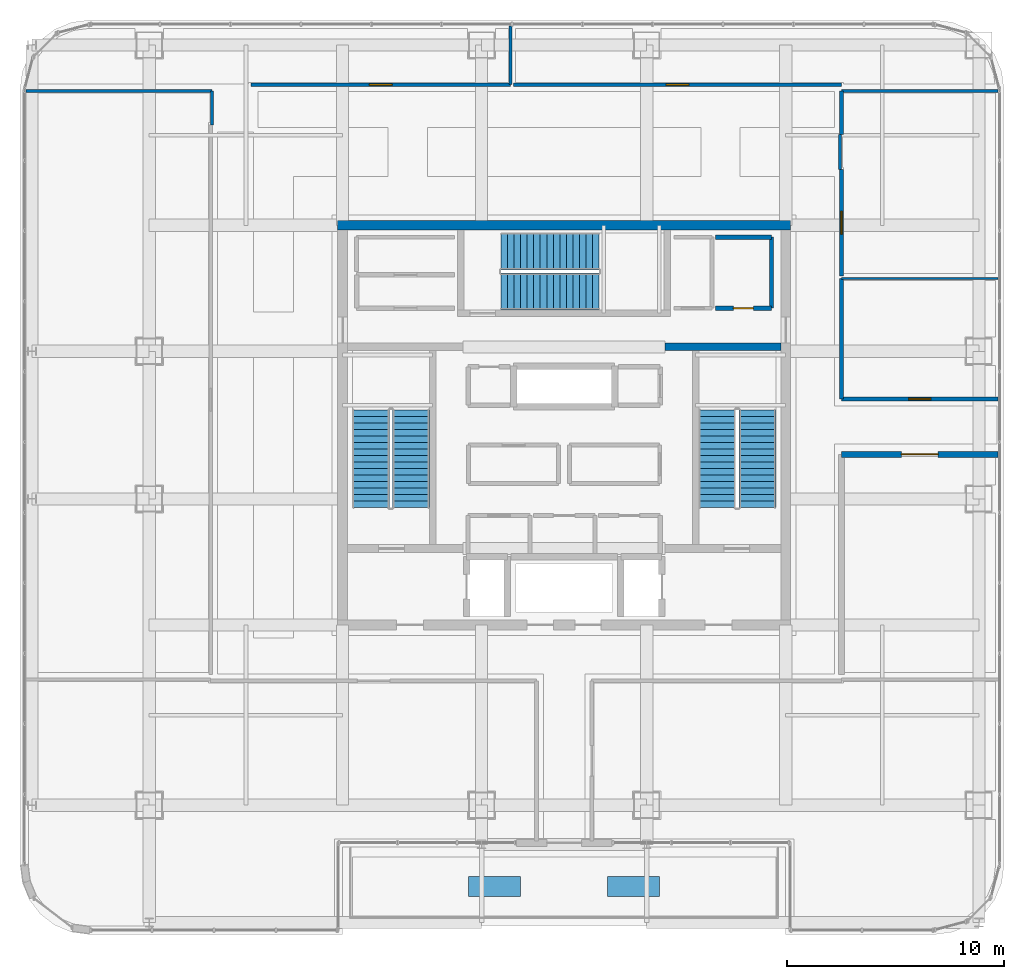
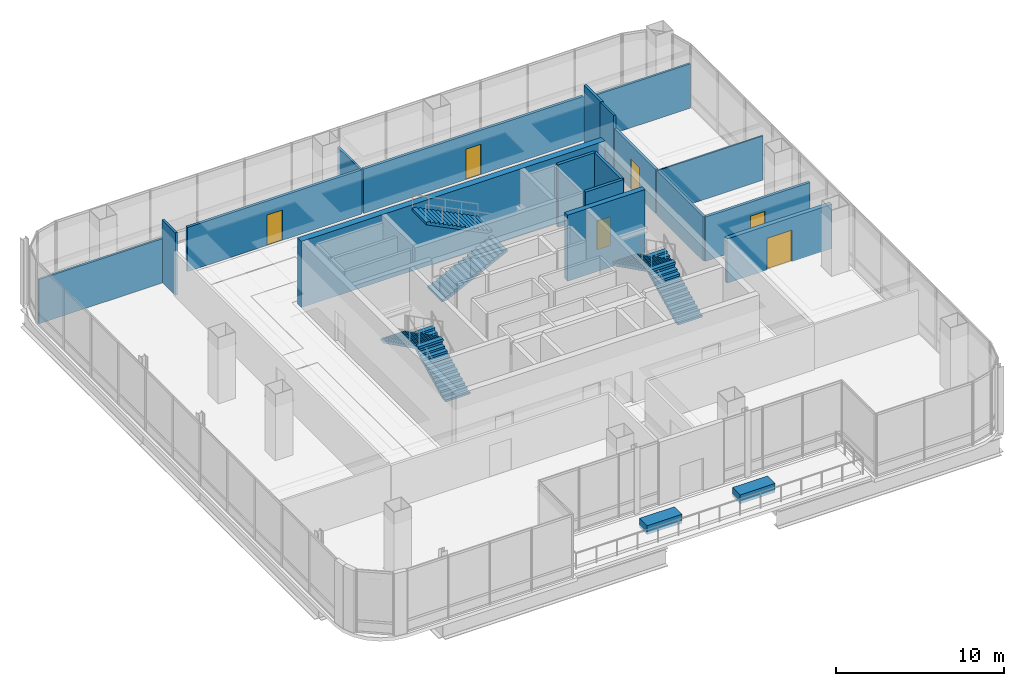
# One storey, part 38 of 44: 18 walls, 6 doors, 6 stair flights, 2 discrete accessories, 6 openings, 3 elements without a shape of their own.
"""IFC4 building model written with IfcOpenShell, lengths in metres."""

from ifc_helpers import new_model, si_unit, direction, frame, frame_2d, origin, origin_2d, place, context, subcontext, project, spatial, polyline, rectangle, outline, extrude, material, layer, layer_set, type_object, element, fill, aggregate, save


model = new_model("IFC4")

# Units and contexts
model_context = context("Model", 3, precision=1e-05, world=origin(), true_north=direction((0.0, 1.0)))
body_context = subcontext(model_context, "Body", "Model", "MODEL_VIEW")
ifc_project = project(units=[si_unit("LENGTHUNIT", "METRE"), si_unit("AREAUNIT", "SQUARE_METRE"), si_unit("VOLUMEUNIT", "CUBIC_METRE"), si_unit("PLANEANGLEUNIT", "RADIAN"), si_unit("MASSUNIT", "GRAM", prefix="KILO")], contexts=[model_context])

# Site, building, storey
site_placement = place(None, origin())
site = spatial("IfcSite", under=ifc_project, at=site_placement, CompositionType="ELEMENT")
building_placement = place(site_placement, origin())
building = spatial("IfcBuilding", under=site, at=building_placement, Name="Punatoya Terracotta Tower", CompositionType="ELEMENT")
storey_placement = place(building_placement, frame((0.0, 0.0, 334.199951171875)))
storey = spatial("IfcBuildingStorey", under=building, at=storey_placement, Name="L79", CompositionType="ELEMENT", Elevation=334.199951171875)

# Wall, opening, door
ifc_material_1 = material(Name="Concrete C40/50", Category="concrete")
ifc_layer_1 = layer(ifc_material_1, 0.280029296875)
ifc_layer_set_1 = layer_set([ifc_layer_1], Name="Concrete C40/50")
wall_type_1 = type_object("IfcWallType", Name="WL-AUD-280", PredefinedType="SOLIDWALL", material=ifc_layer_set_1)
wall_1_placement = place(storey_placement, frame((12.77001953125, -1.35009765625, 0.0), z_axis=(0.0, 0.0, 1.0), x_axis=(1.0, 0.0, 0.0)))
wall_1 = element("IfcWall", 1, at=wall_1_placement, inside=storey, type_object=wall_type_1, Name="L79 Open-Plan Visitors' Sky Cafe and Bistro Partition 39", PredefinedType="SOLIDWALL", context=body_context, shape_type="SweptSolid", body=[
    extrude(rectangle(XDim=7.199951171875, YDim=0.280029296875, at=frame_2d((3.60009765625, 0.0))), origin(), (0.0, 0.0, 1.0), 3.214111328125),
])
opening_1_placement = place(wall_1_placement, frame((2.75, 0.0, 0.0)))
opening_1 = element("IfcOpeningElement", 2, at=opening_1_placement, cuts=wall_1, Name="Opening FD-D1", PredefinedType="OPENING", context=body_context, shape_type="SweptSolid", body=[
    extrude(rectangle(XDim=1.699951171875, YDim=2.300048828125, at=frame_2d((0.85009765625, 1.14990234375))), frame((0.0, 0.14990234375, 0.0), z_axis=(0.0, -1.0, 0.0), x_axis=(1.0, 0.0, 0.0)), (0.0, 0.0, 1.0), 0.300048828125),
])
ifc_material_2 = material(Name="Timber Teak Veneer Fire Leaf", Category="wood")
door_type_1 = type_object("IfcDoorType", Name="DR-DIN-1700", OperationType="NOTDEFINED", PredefinedType="DOOR", material=ifc_material_2)
door_1_placement = place(opening_1_placement, origin())
door_1 = element("IfcDoor", 3, at=door_1_placement, inside=storey, type_object=door_type_1, Name="L79 Open-Plan Visitors' Sky Cafe and Bistro Fire Door", OperationType="DOUBLE_DOOR_SINGLE_SWING", OverallHeight=2.300048828125, OverallWidth=1.699951171875, PredefinedType="DOOR", context=body_context, shape_type="SweptSolid", body=[
    extrude(rectangle(XDim=1.699951171875, YDim=2.300048828125, at=frame_2d((0.85009765625, 1.14990234375))), frame((0.0, 0.02490234375, 0.0), z_axis=(0.0, -1.0, 0.0), x_axis=(1.0, 0.0, 0.0)), (0.0, 0.0, 1.0), 0.050048828125),
])
fill(opening_1, door_1)

# Wall
ifc_material_3 = material(Name="Concrete C50/60", Category="concrete")
ifc_layer_2 = layer(ifc_material_3, 0.449951171875)
ifc_layer_set_2 = layer_set([ifc_layer_2], Name="Concrete C50/60")
wall_type_2 = type_object("IfcWallType", Name="WL-COR-450", PredefinedType="SHEAR", material=ifc_layer_set_2)
wall_2_placement = place(storey_placement, frame((-10.425048828125, 9.199951171875, 0.0), z_axis=(0.0, 0.0, 1.0), x_axis=(1.0, 0.0, 0.0)))
element("IfcWall", 4, at=wall_2_placement, inside=storey, type_object=wall_type_2, Name="L79 Core Shear Wall N", PredefinedType="SHEAR", context=body_context, shape_type="SweptSolid", body=[
    extrude(rectangle(XDim=20.85009765625, YDim=0.449951171875, at=frame_2d((10.425048828125, 0.0))), origin(), (0.0, 0.0, 1.0), 4.800048828125),
])

# Wall, opening, door
ifc_material_4 = material(Name="Gypsum Fireboard + Steel Stud", Category="steel")
ifc_layer_3 = layer(ifc_material_4, 0.179931640625)
ifc_layer_set_3 = layer_set([ifc_layer_3], Name="Gypsum Fireboard + Steel Stud")
wall_type_3 = type_object("IfcWallType", Name="WL-CORR-180", PredefinedType="PARTITIONING", material=ifc_layer_set_3)
wall_3_placement = place(storey_placement, frame((19.969970703125, 1.199951171875, 0.0), z_axis=(0.0, 0.0, 1.0), x_axis=(-1.0, 0.0, 0.0)))
wall_3 = element("IfcWall", 5, at=wall_3_placement, inside=storey, type_object=wall_type_3, Name="L79 Open-Plan Public Lookout Seminar Room Partition 44", PredefinedType="PARTITIONING", context=body_context, shape_type="SweptSolid", body=[
    extrude(rectangle(XDim=7.199951171875, YDim=0.179931640625, at=frame_2d((3.60009765625, 0.0))), origin(), (0.0, 0.0, 1.0), 3.214111328125),
])
opening_2_placement = place(wall_3_placement, frame((3.090087890625, 0.0, 0.0)))
opening_2 = element("IfcOpeningElement", 6, at=opening_2_placement, cuts=wall_3, Name="Opening MD-01", PredefinedType="OPENING", context=body_context, shape_type="SweptSolid", body=[
    extrude(rectangle(XDim=1.02001953125, YDim=2.199951171875, at=frame_2d((0.510009765625, 1.10009765625))), frame((0.0, 0.099853515625, 0.0), z_axis=(0.0, -1.0, 0.0), x_axis=(1.0, 0.0, 0.0)), (0.0, 0.0, 1.0), 0.199951171875),
])
ifc_material_5 = material(Name="Aluminium + Acoustic Glass Leaf", Category="aluminium")
door_type_2 = type_object("IfcDoorType", Name="DR-MTG-1020", OperationType="NOTDEFINED", PredefinedType="DOOR", material=ifc_material_5)
door_2_placement = place(opening_2_placement, origin())
door_2 = element("IfcDoor", 7, at=door_2_placement, inside=storey, type_object=door_type_2, Name="L79 Open-Plan Public Lookout Seminar Room Door", OperationType="SINGLE_SWING_RIGHT", OverallHeight=2.199951171875, OverallWidth=1.02001953125, PredefinedType="DOOR", context=body_context, shape_type="SweptSolid", body=[
    extrude(rectangle(XDim=1.02001953125, YDim=2.199951171875, at=frame_2d((0.510009765625, 1.10009765625))), frame((0.0, 0.02490234375, 0.0), z_axis=(0.0, -1.0, 0.0), x_axis=(1.0, 0.0, 0.0)), (0.0, 0.0, 1.0), 0.050048828125),
])
fill(opening_2, door_2)

# Wall
wall_4_placement = place(storey_placement, frame((12.77001953125, 1.199951171875, 0.0), z_axis=(0.0, 0.0, 1.0), x_axis=(0.0, 1.0, 0.0)))
element("IfcWall", 8, at=wall_4_placement, inside=storey, type_object=wall_type_3, Name="L79 Open-Plan Public Lookout Seminar Room Partition 45", PredefinedType="PARTITIONING", context=body_context, shape_type="SweptSolid", body=[
    extrude(rectangle(XDim=5.550048828125, YDim=0.179931640625, at=frame_2d((2.77490234375, 0.0))), origin(), (0.0, 0.0, 1.0), 3.214111328125),
])

# Wall, opening, door
wall_5_placement = place(storey_placement, frame((12.77001953125, 6.8701171875, 0.0), z_axis=(0.0, 0.0, 1.0), x_axis=(0.0, 1.0, 0.0)))
wall_5 = element("IfcWall", 9, at=wall_5_placement, inside=storey, type_object=wall_type_3, Name="L79 Digital Cartography Studio Partition 47", PredefinedType="PARTITIONING", context=body_context, shape_type="SweptSolid", body=[
    extrude(rectangle(XDim=4.89990234375, YDim=0.179931640625, at=frame_2d((2.449951171875, 0.0))), origin(), (0.0, 0.0, 1.0), 3.214111328125),
])
opening_3_placement = place(wall_5_placement, frame((1.925048828125, 0.0, 0.0)))
opening_3 = element("IfcOpeningElement", 10, at=opening_3_placement, cuts=wall_5, Name="Opening OD-01", PredefinedType="OPENING", context=body_context, shape_type="SweptSolid", body=[
    extrude(rectangle(XDim=1.050048828125, YDim=2.199951171875, at=frame_2d((0.52490234375, 1.10009765625))), frame((0.0, 0.099853515625, 0.0), z_axis=(0.0, -1.0, 0.0), x_axis=(1.0, 0.0, 0.0)), (0.0, 0.0, 1.0), 0.199951171875),
])
ifc_material_6 = material(Name="Bengal Teak Solid-Core Leaf")
door_type_3 = type_object("IfcDoorType", Name="DR-OFF-1050", OperationType="NOTDEFINED", PredefinedType="DOOR", material=ifc_material_6)
door_3_placement = place(opening_3_placement, origin())
door_3 = element("IfcDoor", 11, at=door_3_placement, inside=storey, type_object=door_type_3, Name="L79 Digital Cartography Studio Door", OperationType="SINGLE_SWING_LEFT", OverallHeight=2.199951171875, OverallWidth=1.050048828125, PredefinedType="DOOR", context=body_context, shape_type="SweptSolid", body=[
    extrude(rectangle(XDim=1.050048828125, YDim=2.199951171875, at=frame_2d((0.52490234375, 1.10009765625))), frame((0.0, 0.02490234375, 0.0), z_axis=(0.0, -1.0, 0.0), x_axis=(1.0, 0.0, 0.0)), (0.0, 0.0, 1.0), 0.050048828125),
])
fill(opening_3, door_3)

# Wall
wall_6_placement = place(storey_placement, frame((12.77001953125, 13.3798828125, 0.0), z_axis=(0.0, 0.0, 1.0), x_axis=(0.0, 1.0, 0.0)))
element("IfcWall", 12, at=wall_6_placement, inside=storey, type_object=wall_type_3, Name="L79 Digital Cartography Studio Partition 49", PredefinedType="PARTITIONING", context=body_context, shape_type="SweptSolid", body=[
    extrude(rectangle(XDim=2.010009765625, YDim=0.179931640625, at=frame_2d((1.0048828125, 0.0))), origin(), (0.0, 0.0, 1.0), 4.174072265625),
])

# Wall, opening, door
wall_7_placement = place(storey_placement, frame((-2.4599609375, 15.669921875, 0.0), z_axis=(0.0, 0.0, 1.0), x_axis=(-1.0, 0.0, 0.0)))
wall_7 = element("IfcWall", 13, at=wall_7_placement, inside=storey, type_object=wall_type_3, Name="L79 Open-Plan Visitors' Wellness Lounge Partition 52", PredefinedType="PARTITIONING", context=body_context, shape_type="SweptSolid", body=[
    extrude(rectangle(XDim=11.9599609375, YDim=0.179931640625, at=frame_2d((5.97998046875, 0.0))), origin(), (0.0, 0.0, 1.0), 3.214111328125),
])
opening_4_placement = place(wall_7_placement, frame((5.455078125, 0.0, 0.0)))
opening_4 = element("IfcOpeningElement", 14, at=opening_4_placement, cuts=wall_7, Name="Opening OD-01", PredefinedType="OPENING", context=body_context, shape_type="SweptSolid", body=[
    extrude(rectangle(XDim=1.050048828125, YDim=2.199951171875, at=frame_2d((0.52490234375, 1.10009765625))), frame((0.0, 0.099853515625, 0.0), z_axis=(0.0, -1.0, 0.0), x_axis=(1.0, 0.0, 0.0)), (0.0, 0.0, 1.0), 0.199951171875),
])
door_4_placement = place(opening_4_placement, origin())
door_4 = element("IfcDoor", 15, at=door_4_placement, inside=storey, type_object=door_type_3, Name="L79 Open-Plan Visitors' Wellness Lounge Door", OperationType="SINGLE_SWING_RIGHT", OverallHeight=2.199951171875, OverallWidth=1.050048828125, PredefinedType="DOOR", context=body_context, shape_type="SweptSolid", body=[
    extrude(rectangle(XDim=1.050048828125, YDim=2.199951171875, at=frame_2d((0.52490234375, 1.10009765625))), frame((0.0, 0.02490234375, 0.0), z_axis=(0.0, -1.0, 0.0), x_axis=(1.0, 0.0, 0.0)), (0.0, 0.0, 1.0), 0.050048828125),
])
fill(opening_4, door_4)

wall_8_placement = place(storey_placement, frame((12.77001953125, 15.669921875, 0.0), z_axis=(0.0, 0.0, 1.0), x_axis=(-1.0, 0.0, 0.0)))
wall_8 = element("IfcWall", 16, at=wall_8_placement, inside=storey, type_object=wall_type_3, Name="L79 Open-Plan Horizon Tea Pantry Partition 53", PredefinedType="PARTITIONING", context=body_context, shape_type="SweptSolid", body=[
    extrude(rectangle(XDim=15.110107421875, YDim=0.179931640625, at=frame_2d((7.55517578125, 0.0))), origin(), (0.0, 0.0, 1.0), 3.214111328125),
])
opening_5_placement = place(wall_8_placement, frame((7.030029296875, 0.0, 0.0)))
opening_5 = element("IfcOpeningElement", 17, at=opening_5_placement, cuts=wall_8, Name="Opening OD-01", PredefinedType="OPENING", context=body_context, shape_type="SweptSolid", body=[
    extrude(rectangle(XDim=1.050048828125, YDim=2.199951171875, at=frame_2d((0.52490234375, 1.10009765625))), frame((0.0, 0.099853515625, 0.0), z_axis=(0.0, -1.0, 0.0), x_axis=(1.0, 0.0, 0.0)), (0.0, 0.0, 1.0), 0.199951171875),
])
door_5_placement = place(opening_5_placement, origin())
door_5 = element("IfcDoor", 18, at=door_5_placement, inside=storey, type_object=door_type_3, Name="L79 Open-Plan Horizon Tea Pantry Door", OperationType="SINGLE_SWING_LEFT", OverallHeight=2.199951171875, OverallWidth=1.050048828125, PredefinedType="DOOR", context=body_context, shape_type="SweptSolid", body=[
    extrude(rectangle(XDim=1.050048828125, YDim=2.199951171875, at=frame_2d((0.52490234375, 1.10009765625))), frame((0.0, 0.02490234375, 0.0), z_axis=(0.0, -1.0, 0.0), x_axis=(1.0, 0.0, 0.0)), (0.0, 0.0, 1.0), 0.050048828125),
])
fill(opening_5, door_5)

# Walls
ifc_material_7 = material(Name="Aluminium Framed Acoustic Glass Partition", Category="aluminium")
ifc_layer_4 = layer(ifc_material_7, 0.10009765625)
ifc_layer_set_4 = layer_set([ifc_layer_4], Name="Aluminium Framed Acoustic Glass Partition")
wall_type_4 = type_object("IfcWallType", Name="WL-GLZ-100", PredefinedType="PARTITIONING", material=ifc_layer_set_4)
wall_9_placement = place(storey_placement, frame((12.77001953125, 6.75, 0.0), z_axis=(0.0, 0.0, 1.0), x_axis=(1.0, 0.0, 0.0)))
element("IfcWall", 19, at=wall_9_placement, inside=storey, type_object=wall_type_4, Name="L79 Open-Plan Public Lookout Seminar Room Partition 46", PredefinedType="PARTITIONING", context=body_context, shape_type="SweptSolid", body=[
    extrude(rectangle(XDim=7.199951171875, YDim=0.10009765625, at=frame_2d((3.60009765625, 0.0))), origin(), (0.0, 0.0, 1.0), 3.214111328125),
])
ifc_layer_5 = layer(ifc_material_1, 0.199951171875)
ifc_layer_set_5 = layer_set([ifc_layer_5], Name="Concrete C40/50")
wall_type_5 = type_object("IfcWallType", Name="WL-INT-200", PredefinedType="SOLIDWALL", material=ifc_layer_set_5)
wall_10_placement = place(storey_placement, frame((9.550048828125, 5.3798828125, 0.0), z_axis=(0.0, 0.0, 1.0), x_axis=(0.0, 1.0, 0.0)))
element("IfcWall", 20, at=wall_10_placement, inside=storey, type_object=wall_type_5, Name="L79 East Core Archive Partition 30", PredefinedType="SOLIDWALL", context=body_context, shape_type="SweptSolid", body=[
    extrude(rectangle(XDim=3.27001953125, YDim=0.199951171875, at=frame_2d((1.635009765625, 0.0))), origin(), (0.0, 0.0, 1.0), 4.5400390625),
])
wall_11_placement = place(storey_placement, frame((9.550048828125, 8.64990234375, 0.0), z_axis=(0.0, 0.0, 1.0), x_axis=(-1.0, 0.0, 0.0)))
element("IfcWall", 21, at=wall_11_placement, inside=storey, type_object=wall_type_5, Name="L79 East Core Archive Partition 31", PredefinedType="SOLIDWALL", context=body_context, shape_type="SweptSolid", body=[
    extrude(rectangle(XDim=2.590087890625, YDim=0.199951171875, at=frame_2d((1.294921875, 0.0))), origin(), (0.0, 0.0, 1.0), 4.5400390625),
])

# Wall, opening, door
wall_12_placement = place(storey_placement, frame((6.9599609375, 5.3798828125, 0.0), z_axis=(0.0, 0.0, 1.0), x_axis=(1.0, 0.0, 0.0)))
wall_12 = element("IfcWall", 22, at=wall_12_placement, inside=storey, type_object=wall_type_5, Name="L79 East Core Archive Partition 32", PredefinedType="SOLIDWALL", context=body_context, shape_type="SweptSolid", body=[
    extrude(rectangle(XDim=2.590087890625, YDim=0.199951171875, at=frame_2d((1.294921875, 0.0))), origin(), (0.0, 0.0, 1.0), 4.5400390625),
])
opening_6_placement = place(wall_12_placement, frame((0.8349609375, 0.0, 0.0)))
opening_6 = element("IfcOpeningElement", 23, at=opening_6_placement, cuts=wall_12, Name="Opening FD-R1", PredefinedType="OPENING", context=body_context, shape_type="SweptSolid", body=[
    extrude(rectangle(XDim=0.919921875, YDim=2.10009765625, at=frame_2d((0.4599609375, 1.050048828125))), frame((0.0, 0.10986328125, 0.0), z_axis=(0.0, -1.0, 0.0), x_axis=(1.0, 0.0, 0.0)), (0.0, 0.0, 1.0), 0.219970703125),
])
ifc_material_8 = material(Name="Galvanised Steel Riser Fire Access Door", Category="steel")
door_type_4 = type_object("IfcDoorType", Name="DR-RSR-920", OperationType="NOTDEFINED", PredefinedType="DOOR", material=ifc_material_8)
door_6_placement = place(opening_6_placement, origin())
door_6 = element("IfcDoor", 24, at=door_6_placement, inside=storey, type_object=door_type_4, Name="L79 East Core Archive Fire Door", OperationType="SINGLE_SWING_LEFT", OverallHeight=2.10009765625, OverallWidth=0.919921875, PredefinedType="DOOR", context=body_context, shape_type="SweptSolid", body=[
    extrude(rectangle(XDim=0.919921875, YDim=2.10009765625, at=frame_2d((0.4599609375, 1.050048828125))), frame((0.0, 0.02490234375, 0.0), z_axis=(0.0, -1.0, 0.0), x_axis=(1.0, 0.0, 0.0)), (0.0, 0.0, 1.0), 0.050048828125),
])
fill(opening_6, door_6)

# Walls
ifc_material_9 = material(Name="Acoustic Gypsum + Steel Stud", Category="steel")
ifc_layer_6 = layer(ifc_material_9, 0.139892578125)
ifc_layer_set_6 = layer_set([ifc_layer_6], Name="Acoustic Gypsum + Steel Stud")
wall_type_6 = type_object("IfcWallType", Name="WL-OFF-140", PredefinedType="PARTITIONING", material=ifc_layer_set_6)
wall_13_placement = place(storey_placement, frame((-24.77001953125, 15.389892578125, 0.0), z_axis=(0.0, 0.0, 1.0), x_axis=(1.0, 0.0, 0.0)))
element("IfcWall", 25, at=wall_13_placement, inside=storey, type_object=wall_type_6, Name="L79 Panoramic Photography Studio Partition 41", PredefinedType="PARTITIONING", context=body_context, shape_type="SweptSolid", body=[
    extrude(rectangle(XDim=8.56005859375, YDim=0.139892578125, at=frame_2d((4.280029296875, 0.0))), origin(), (0.0, 0.0, 1.0), 3.214111328125),
])
wall_14_placement = place(storey_placement, frame((-16.2099609375, 15.389892578125, 0.0), z_axis=(0.0, 0.0, 1.0), x_axis=(0.0, -1.0, 0.0)))
element("IfcWall", 26, at=wall_14_placement, inside=storey, type_object=wall_type_6, Name="L79 Panoramic Photography Studio Partition 42", PredefinedType="PARTITIONING", context=body_context, shape_type="SweptSolid", body=[
    extrude(rectangle(XDim=1.56982421875, YDim=0.139892578125, at=frame_2d((0.784912109375, 0.0))), origin(), (0.0, 0.0, 1.0), 4.5400390625),
])
wall_15_placement = place(storey_placement, frame((12.7099609375, 11.77001953125, 0.0), z_axis=(0.0, 0.0, 1.0), x_axis=(0.0, 1.0, 0.0)))
element("IfcWall", 27, at=wall_15_placement, inside=storey, type_object=wall_type_6, Name="L79 Digital Cartography Studio Partition 48", PredefinedType="PARTITIONING", context=body_context, shape_type="SweptSolid", body=[
    extrude(rectangle(XDim=1.60986328125, YDim=0.139892578125, at=frame_2d((0.804931640625, 0.0))), origin(), (0.0, 0.0, 1.0), 4.174072265625),
])
wall_16_placement = place(storey_placement, frame((12.77001953125, 15.389892578125, 0.0), z_axis=(0.0, 0.0, 1.0), x_axis=(1.0, 0.0, 0.0)))
element("IfcWall", 28, at=wall_16_placement, inside=storey, type_object=wall_type_6, Name="L79 Digital Cartography Studio Partition 50", PredefinedType="PARTITIONING", context=body_context, shape_type="SweptSolid", body=[
    extrude(rectangle(XDim=7.199951171875, YDim=0.139892578125, at=frame_2d((3.60009765625, 0.0))), origin(), (0.0, 0.0, 1.0), 3.214111328125),
])
wall_17_placement = place(storey_placement, frame((-2.4599609375, 18.3701171875, 0.0), z_axis=(0.0, 0.0, 1.0), x_axis=(0.0, -1.0, 0.0)))
element("IfcWall", 29, at=wall_17_placement, inside=storey, type_object=wall_type_6, Name="L79 Open-Plan Visitors' Wellness Lounge Partition 51", PredefinedType="PARTITIONING", context=body_context, shape_type="SweptSolid", body=[
    extrude(rectangle(XDim=2.7001953125, YDim=0.139892578125, at=frame_2d((1.35009765625, 0.0))), origin(), (0.0, 0.0, 1.0), 3.214111328125),
])
ifc_layer_7 = layer(ifc_material_3, 0.35009765625)
ifc_layer_set_7 = layer_set([ifc_layer_7], Name="Concrete C50/60")
wall_type_7 = type_object("IfcWallType", Name="WL-SHF-350", PredefinedType="SOLIDWALL", material=ifc_layer_set_7)
wall_18_placement = place(storey_placement, frame((4.64990234375, 3.60009765625, 0.0), z_axis=(0.0, 0.0, 1.0), x_axis=(1.0, 0.0, 0.0)))
element("IfcWall", 30, at=wall_18_placement, inside=storey, type_object=wall_type_7, Name="L79 Core Web Wall CNW-R", PredefinedType="SOLIDWALL", context=body_context, shape_type="SweptSolid", body=[
    extrude(rectangle(XDim=5.3251953125, YDim=0.35009765625, at=frame_2d((2.66259765625, 0.0))), origin(), (0.0, 0.0, 1.0), 4.800048828125),
])

# Stair, stair flights
stair_type_1 = type_object("IfcStairType", Name="STR-CORE-1550", PredefinedType="HALF_TURN_STAIR", material=ifc_material_1)
stair_1_placement = place(storey_placement, origin())
stair_1 = element("IfcStair", 31, at=stair_1_placement, inside=storey, type_object=stair_type_1, Name="L79 Protected Core Exit Stair ST-1", PredefinedType="HALF_TURN_STAIR")
stair_flight_type_1 = type_object("IfcStairFlightType", Name="SFL-CORE-1550", PredefinedType="STRAIGHT", material=ifc_material_1)
stair_flight_1_placement = place(storey_placement, frame((-7.050048828125, -3.800048828125, 0.0), z_axis=(0.0, 0.0, 1.0), x_axis=(0.0, 1.0, 0.0)))
stair_flight_1 = element("IfcStairFlight", 32, at=stair_flight_1_placement, type_object=stair_flight_type_1, Name="ST-1 flight 1", NumberOfRisers=16, NumberOfTreads=15, PredefinedType="STRAIGHT", RiserHeight=0.15, TreadLength=0.3, context=body_context, shape_type="SweptSolid", body=[
    extrude(outline(polyline([(0.0, 0.0), (0.0, 0.14990234375), (0.300048828125, 0.14990234375), (0.300048828125, 0.300048828125), (0.60009765625, 0.300048828125), (0.60009765625, 0.449951171875), (0.89990234375, 0.449951171875), (0.89990234375, 0.60009765625), (1.199951171875, 0.60009765625), (1.199951171875, 0.75), (1.5, 0.75), (1.5, 0.89990234375), (1.800048828125, 0.89990234375), (1.800048828125, 1.050048828125), (2.10009765625, 1.050048828125), (2.10009765625, 1.199951171875), (2.39990234375, 1.199951171875), (2.39990234375, 1.35009765625), (2.699951171875, 1.35009765625), (2.699951171875, 1.5), (3.0, 1.5), (3.0, 1.64990234375), (3.300048828125, 1.64990234375), (3.300048828125, 1.800048828125), (3.60009765625, 1.800048828125), (3.60009765625, 1.949951171875), (3.89990234375, 1.949951171875), (3.89990234375, 2.10009765625), (4.199951171875, 2.10009765625), (4.199951171875, 2.25), (4.5, 2.25), (4.5, 2.39990234375), (4.5, 2.08251953125), (0.335205078125, 0.0), (0.0, 0.0)])), frame((0.0, 0.85009765625, 0.0), z_axis=(0.0, -1.0, 0.0), x_axis=(1.0, 0.0, 0.0)), (0.0, 0.0, 1.0), 1.699951171875),
])
stair_flight_2_placement = place(storey_placement, frame((-8.89990234375, 0.699951171875, 2.400146484375), z_axis=(0.0, 0.0, 1.0), x_axis=(0.0, -1.0, 0.0)))
stair_flight_2 = element("IfcStairFlight", 33, at=stair_flight_2_placement, type_object=stair_flight_type_1, Name="ST-1 flight 2", NumberOfRisers=16, NumberOfTreads=15, PredefinedType="STRAIGHT", RiserHeight=0.15, TreadLength=0.3, context=body_context, shape_type="SweptSolid", body=[
    extrude(outline(polyline([(0.0, 0.0), (0.0, 0.14990234375), (0.300048828125, 0.14990234375), (0.300048828125, 0.300048828125), (0.60009765625, 0.300048828125), (0.60009765625, 0.449951171875), (0.89990234375, 0.449951171875), (0.89990234375, 0.60009765625), (1.199951171875, 0.60009765625), (1.199951171875, 0.75), (1.5, 0.75), (1.5, 0.89990234375), (1.800048828125, 0.89990234375), (1.800048828125, 1.050048828125), (2.10009765625, 1.050048828125), (2.10009765625, 1.199951171875), (2.39990234375, 1.199951171875), (2.39990234375, 1.35009765625), (2.699951171875, 1.35009765625), (2.699951171875, 1.5), (3.0, 1.5), (3.0, 1.64990234375), (3.300048828125, 1.64990234375), (3.300048828125, 1.800048828125), (3.60009765625, 1.800048828125), (3.60009765625, 1.949951171875), (3.89990234375, 1.949951171875), (3.89990234375, 2.10009765625), (4.199951171875, 2.10009765625), (4.199951171875, 2.25), (4.5, 2.25), (4.5, 2.39990234375), (4.5, 2.08251953125), (0.335205078125, 0.0), (0.0, 0.0)])), frame((0.0, 0.85009765625, 0.0), z_axis=(0.0, -1.0, 0.0), x_axis=(1.0, 0.0, 0.0)), (0.0, 0.0, 1.0), 1.699951171875),
])
aggregate(stair_1, [stair_flight_1, stair_flight_2])

stair_type_2 = type_object("IfcStairType", Name="STR-LOB-1650", PredefinedType="HALF_TURN_STAIR", material=ifc_material_1)
stair_2_placement = place(storey_placement, origin())
stair_2 = element("IfcStair", 34, at=stair_2_placement, inside=storey, type_object=stair_type_2, Name="L79 Protected Core Exit Stair ST-2", PredefinedType="HALF_TURN_STAIR")
stair_flight_type_2 = type_object("IfcStairFlightType", Name="SFL-LOB-1650", PredefinedType="STRAIGHT", material=ifc_material_1)
stair_flight_3_placement = place(storey_placement, frame((8.89990234375, -3.800048828125, 0.0), z_axis=(0.0, 0.0, 1.0), x_axis=(0.0, 1.0, 0.0)))
stair_flight_3 = element("IfcStairFlight", 35, at=stair_flight_3_placement, type_object=stair_flight_type_2, Name="ST-2 flight 1", NumberOfRisers=16, NumberOfTreads=15, PredefinedType="STRAIGHT", RiserHeight=0.15, TreadLength=0.3, context=body_context, shape_type="SweptSolid", body=[
    extrude(outline(polyline([(0.0, 0.0), (0.0, 0.14990234375), (0.300048828125, 0.14990234375), (0.300048828125, 0.300048828125), (0.60009765625, 0.300048828125), (0.60009765625, 0.449951171875), (0.89990234375, 0.449951171875), (0.89990234375, 0.60009765625), (1.199951171875, 0.60009765625), (1.199951171875, 0.75), (1.5, 0.75), (1.5, 0.89990234375), (1.800048828125, 0.89990234375), (1.800048828125, 1.050048828125), (2.10009765625, 1.050048828125), (2.10009765625, 1.199951171875), (2.39990234375, 1.199951171875), (2.39990234375, 1.35009765625), (2.699951171875, 1.35009765625), (2.699951171875, 1.5), (3.0, 1.5), (3.0, 1.64990234375), (3.300048828125, 1.64990234375), (3.300048828125, 1.800048828125), (3.60009765625, 1.800048828125), (3.60009765625, 1.949951171875), (3.89990234375, 1.949951171875), (3.89990234375, 2.10009765625), (4.199951171875, 2.10009765625), (4.199951171875, 2.25), (4.5, 2.25), (4.5, 2.39990234375), (4.5, 2.08251953125), (0.335205078125, 0.0), (0.0, 0.0)])), frame((0.0, 0.85009765625, 0.0), z_axis=(0.0, -1.0, 0.0), x_axis=(1.0, 0.0, 0.0)), (0.0, 0.0, 1.0), 1.699951171875),
])
stair_flight_4_placement = place(storey_placement, frame((7.050048828125, 0.699951171875, 2.400146484375), z_axis=(0.0, 0.0, 1.0), x_axis=(0.0, -1.0, 0.0)))
stair_flight_4 = element("IfcStairFlight", 36, at=stair_flight_4_placement, type_object=stair_flight_type_2, Name="ST-2 flight 2", NumberOfRisers=16, NumberOfTreads=15, PredefinedType="STRAIGHT", RiserHeight=0.15, TreadLength=0.3, context=body_context, shape_type="SweptSolid", body=[
    extrude(outline(polyline([(0.0, 0.0), (0.0, 0.14990234375), (0.300048828125, 0.14990234375), (0.300048828125, 0.300048828125), (0.60009765625, 0.300048828125), (0.60009765625, 0.449951171875), (0.89990234375, 0.449951171875), (0.89990234375, 0.60009765625), (1.199951171875, 0.60009765625), (1.199951171875, 0.75), (1.5, 0.75), (1.5, 0.89990234375), (1.800048828125, 0.89990234375), (1.800048828125, 1.050048828125), (2.10009765625, 1.050048828125), (2.10009765625, 1.199951171875), (2.39990234375, 1.199951171875), (2.39990234375, 1.35009765625), (2.699951171875, 1.35009765625), (2.699951171875, 1.5), (3.0, 1.5), (3.0, 1.64990234375), (3.300048828125, 1.64990234375), (3.300048828125, 1.800048828125), (3.60009765625, 1.800048828125), (3.60009765625, 1.949951171875), (3.89990234375, 1.949951171875), (3.89990234375, 2.10009765625), (4.199951171875, 2.10009765625), (4.199951171875, 2.25), (4.5, 2.25), (4.5, 2.39990234375), (4.5, 2.08251953125), (0.335205078125, 0.0), (0.0, 0.0)])), frame((0.0, 0.85009765625, 0.0), z_axis=(0.0, -1.0, 0.0), x_axis=(1.0, 0.0, 0.0)), (0.0, 0.0, 1.0), 1.699951171875),
])
aggregate(stair_2, [stair_flight_3, stair_flight_4])

stair_type_3 = type_object("IfcStairType", Name="STR-TER-1450", PredefinedType="HALF_TURN_STAIR", material=ifc_material_1)
stair_3_placement = place(storey_placement, origin())
stair_3 = element("IfcStair", 37, at=stair_3_placement, inside=storey, type_object=stair_type_3, Name="L79 Protected Core Exit Stair ST-3", PredefinedType="HALF_TURN_STAIR")
stair_flight_type_3 = type_object("IfcStairFlightType", Name="SFL-TER-1450", PredefinedType="STRAIGHT", material=ifc_material_1)
stair_flight_5_placement = place(storey_placement, frame((-2.89990234375, 6.14990234375, 0.0), z_axis=(0.0, 0.0, 1.0), x_axis=(1.0, 0.0, 0.0)))
stair_flight_5 = element("IfcStairFlight", 38, at=stair_flight_5_placement, type_object=stair_flight_type_3, Name="ST-3 flight 1", NumberOfRisers=16, NumberOfTreads=15, PredefinedType="STRAIGHT", RiserHeight=0.15, TreadLength=0.3, context=body_context, shape_type="SweptSolid", body=[
    extrude(outline(polyline([(0.0, 0.0), (0.0, 0.14990234375), (0.300048828125, 0.14990234375), (0.300048828125, 0.300048828125), (0.60009765625, 0.300048828125), (0.60009765625, 0.449951171875), (0.89990234375, 0.449951171875), (0.89990234375, 0.60009765625), (1.199951171875, 0.60009765625), (1.199951171875, 0.75), (1.5, 0.75), (1.5, 0.89990234375), (1.800048828125, 0.89990234375), (1.800048828125, 1.050048828125), (2.10009765625, 1.050048828125), (2.10009765625, 1.199951171875), (2.39990234375, 1.199951171875), (2.39990234375, 1.35009765625), (2.699951171875, 1.35009765625), (2.699951171875, 1.5), (3.0, 1.5), (3.0, 1.64990234375), (3.300048828125, 1.64990234375), (3.300048828125, 1.800048828125), (3.60009765625, 1.800048828125), (3.60009765625, 1.949951171875), (3.89990234375, 1.949951171875), (3.89990234375, 2.10009765625), (4.199951171875, 2.10009765625), (4.199951171875, 2.25), (4.5, 2.25), (4.5, 2.39990234375), (4.5, 2.08251953125), (0.335205078125, 0.0), (0.0, 0.0)])), frame((0.0, 0.85009765625, 0.0), z_axis=(0.0, -1.0, 0.0), x_axis=(1.0, 0.0, 0.0)), (0.0, 0.0, 1.0), 1.699951171875),
])
stair_flight_6_placement = place(storey_placement, frame((1.60009765625, 8.0, 2.400146484375), z_axis=(0.0, 0.0, 1.0), x_axis=(-1.0, 0.0, 0.0)))
stair_flight_6 = element("IfcStairFlight", 39, at=stair_flight_6_placement, type_object=stair_flight_type_3, Name="ST-3 flight 2", NumberOfRisers=16, NumberOfTreads=15, PredefinedType="STRAIGHT", RiserHeight=0.15, TreadLength=0.3, context=body_context, shape_type="SweptSolid", body=[
    extrude(outline(polyline([(0.0, 0.0), (0.0, 0.14990234375), (0.300048828125, 0.14990234375), (0.300048828125, 0.300048828125), (0.60009765625, 0.300048828125), (0.60009765625, 0.449951171875), (0.89990234375, 0.449951171875), (0.89990234375, 0.60009765625), (1.199951171875, 0.60009765625), (1.199951171875, 0.75), (1.5, 0.75), (1.5, 0.89990234375), (1.800048828125, 0.89990234375), (1.800048828125, 1.050048828125), (2.10009765625, 1.050048828125), (2.10009765625, 1.199951171875), (2.39990234375, 1.199951171875), (2.39990234375, 1.35009765625), (2.699951171875, 1.35009765625), (2.699951171875, 1.5), (3.0, 1.5), (3.0, 1.64990234375), (3.300048828125, 1.64990234375), (3.300048828125, 1.800048828125), (3.60009765625, 1.800048828125), (3.60009765625, 1.949951171875), (3.89990234375, 1.949951171875), (3.89990234375, 2.10009765625), (4.199951171875, 2.10009765625), (4.199951171875, 2.25), (4.5, 2.25), (4.5, 2.39990234375), (4.5, 2.08251953125), (0.335205078125, 0.0), (0.0, 0.0)])), frame((0.0, 0.85009765625, 0.0), z_axis=(0.0, -1.0, 0.0), x_axis=(1.0, 0.0, 0.0)), (0.0, 0.0, 1.0), 1.699951171875),
])
aggregate(stair_3, [stair_flight_5, stair_flight_6])

# Discrete accessories
ifc_material_10 = material(Name="Architectural Terracotta Planter + Green Soil", Category="masonry")
discrete_accessory_type = type_object("IfcDiscreteAccessoryType", Name="ACC-PLANTER", PredefinedType="USERDEFINED", material=ifc_material_10)
for number, where, z_axis, x_axis, name in (
    (40, (-3.199951171875, -21.239990234375, 0.0), (0.0, 0.0, 1.0), (1.0, 0.0, 0.0), "L79 Planted Terracotta Sky-Garden Planter 1"),
    (41, (3.199951171875, -21.239990234375, 0.0), (0.0, 0.0, 1.0), (1.0, 0.0, 0.0), "L79 Planted Terracotta Sky-Garden Planter 2"),
):
    element("IfcDiscreteAccessory", number, at=place(storey_placement, frame(where, z_axis=z_axis, x_axis=x_axis)), inside=storey, type_object=discrete_accessory_type, Name=name, ObjectType="PLANTER", PredefinedType="USERDEFINED", context=body_context, shape_type="SweptSolid", body=[
        extrude(rectangle(XDim=2.39990234375, YDim=0.89990234375, at=origin_2d()), origin(), (0.0, 0.0, 1.0), 0.64990234375),
    ])

save(model, "model.ifc")
